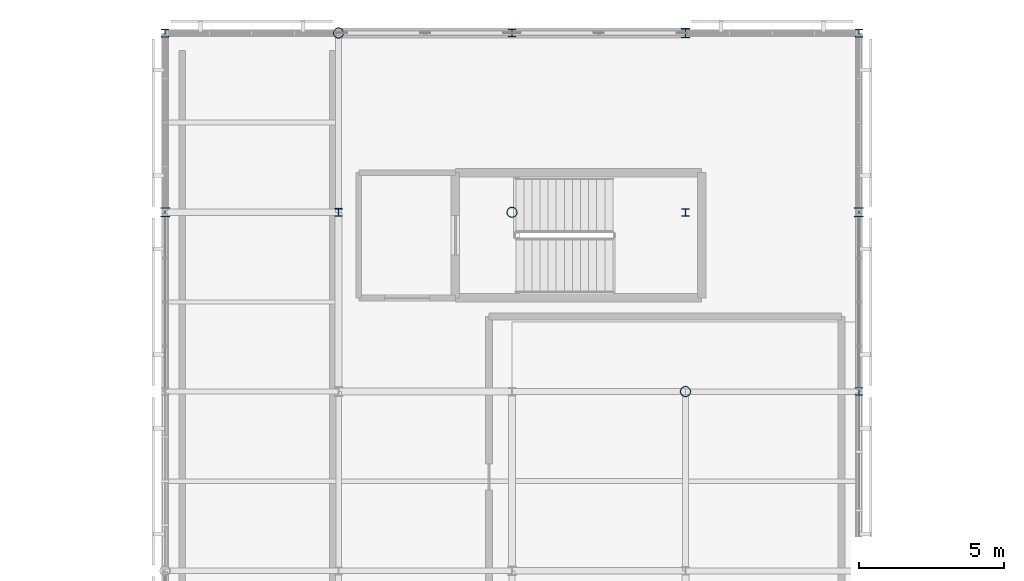
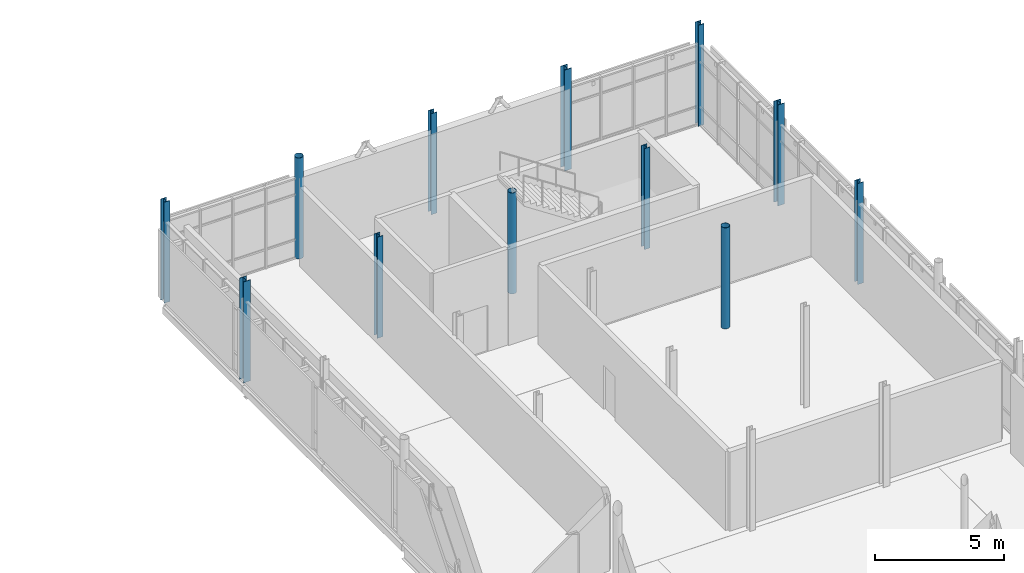
# One storey, part 14 of 66: 12 columns.
"""IFC4 building model written with IfcOpenShell, lengths in metres."""

from ifc_helpers import new_model, si_unit, direction, frame, origin, origin_2d, place, context, subcontext, project, spatial, hollow_circle, i_section, extrude, material, material_profile, profile_set, type_object, element, save


model = new_model("IFC4")

# Units and contexts
model_context = context("Model", 3, precision=1e-05, world=origin(), true_north=direction((0.0, 1.0)))
body_context = subcontext(model_context, "Body", "Model", "MODEL_VIEW")
ifc_project = project(units=[si_unit("LENGTHUNIT", "METRE"), si_unit("AREAUNIT", "SQUARE_METRE"), si_unit("VOLUMEUNIT", "CUBIC_METRE"), si_unit("PLANEANGLEUNIT", "RADIAN"), si_unit("MASSUNIT", "GRAM", prefix="KILO")], contexts=[model_context])

# Site, building, storey
site_placement = place(None, origin())
site = spatial("IfcSite", under=ifc_project, at=site_placement, CompositionType="ELEMENT")
building_placement = place(site_placement, origin())
building = spatial("IfcBuilding", under=site, at=building_placement, Name="Mirzam Square Science Centre", CompositionType="ELEMENT")
storey_placement = place(building_placement, frame((0.0, 0.0, 15.60009765625)))
storey = spatial("IfcBuildingStorey", under=building, at=storey_placement, Name="L03", CompositionType="ELEMENT", Elevation=15.60009765625)

# Columns
ifc_material = material(Name="Steel S355", Category="steel")
ifc_material_profile_1 = material_profile(ifc_material, hollow_circle(Radius=0.177734375, WallThickness=0.012451171875, at=origin_2d()), Name="355.6x12.5CHS")
ifc_profile_set_1 = profile_set([ifc_material_profile_1], Name="Steel S355")
column_type_1 = type_object("IfcColumnType", Name="COL-CHS355", PredefinedType="COLUMN", material=ifc_profile_set_1)
for number, where, z_axis, x_axis, name in (
    (1, (120.0, 111.60009765625, 0.0), (0.0, 0.0, 1.0), (1.0, 0.0, 0.0), "L03 column G21-19"),
    (2, (126.0, 105.39990234375, 0.0), (0.0, 0.0, 1.0), (1.0, 0.0, 0.0), "L03 column G22-18"),
    (3, (132.0, 99.199951171875, 0.0), (0.0, 0.0, 1.0), (1.0, 0.0, 0.0), "L03 column G23-17"),
):
    element("IfcColumn", number, at=place(storey_placement, frame(where, z_axis=z_axis, x_axis=x_axis)), inside=storey, type_object=column_type_1, Name=name, PredefinedType="COLUMN", context=body_context, shape_type="SweptSolid", body=[
        extrude(hollow_circle(Radius=0.177734375, WallThickness=0.012451171875, at=origin_2d()), origin(), (0.0, 0.0, 1.0), 4.7998046875),
    ])
ifc_material_profile_2 = material_profile(ifc_material, i_section(OverallWidth=0.25634765625, OverallDepth=0.26025390625, WebThickness=0.01025390625, FlangeThickness=0.017333984375, FilletRadius=0.0126953125, at=origin_2d()), Name="254x254x89UC")
ifc_profile_set_2 = profile_set([ifc_material_profile_2], Name="Steel S355")
column_type_2 = type_object("IfcColumnType", Name="COL-UC254A", PredefinedType="COLUMN", material=ifc_profile_set_2)
for number, where, z_axis, x_axis, name in (
    (4, (126.0, 111.60009765625, 0.0), (0.0, 0.0, 1.0), (1.0, 0.0, 0.0), "L03 column G22-19"),
    (5, (132.0, 105.39990234375, 0.0), (0.0, 0.0, 1.0), (1.0, 0.0, 0.0), "L03 column G23-18"),
    (6, (138.0, 99.199951171875, 0.0), (0.0, 0.0, 1.0), (1.0, 0.0, 0.0), "L03 column G24-17"),
):
    element("IfcColumn", number, at=place(storey_placement, frame(where, z_axis=z_axis, x_axis=x_axis)), inside=storey, type_object=column_type_2, Name=name, PredefinedType="COLUMN", context=body_context, shape_type="SweptSolid", body=[
        extrude(i_section(OverallWidth=0.25634765625, OverallDepth=0.26025390625, WebThickness=0.01025390625, FlangeThickness=0.017333984375, FilletRadius=0.0126953125, at=origin_2d()), origin(), (0.0, 0.0, 1.0), 4.7998046875),
    ])
ifc_material_profile_3 = material_profile(ifc_material, i_section(OverallWidth=0.26123046875, OverallDepth=0.2763671875, WebThickness=0.015380859375, FlangeThickness=0.025390625, FilletRadius=0.0126953125, at=origin_2d()), Name="254x254x132UC")
ifc_profile_set_3 = profile_set([ifc_material_profile_3], Name="Steel S355")
column_type_3 = type_object("IfcColumnType", Name="COL-UC254B", PredefinedType="COLUMN", material=ifc_profile_set_3)
for number, where, z_axis, x_axis, name in (
    (7, (114.0, 111.60009765625, 0.0), (0.0, 0.0, 1.0), (1.0, 0.0, 0.0), "L03 column G20-19"),
    (8, (120.0, 105.39990234375, 0.0), (0.0, 0.0, 1.0), (1.0, 0.0, 0.0), "L03 column G21-18"),
    (9, (138.0, 111.60009765625, 0.0), (0.0, 0.0, 1.0), (1.0, 0.0, 0.0), "L03 column G24-19"),
):
    element("IfcColumn", number, at=place(storey_placement, frame(where, z_axis=z_axis, x_axis=x_axis)), inside=storey, type_object=column_type_3, Name=name, PredefinedType="COLUMN", context=body_context, shape_type="SweptSolid", body=[
        extrude(i_section(OverallWidth=0.26123046875, OverallDepth=0.2763671875, WebThickness=0.015380859375, FlangeThickness=0.025390625, FilletRadius=0.0126953125, at=origin_2d()), origin(), (0.0, 0.0, 1.0), 4.7998046875),
    ])
ifc_material_profile_4 = material_profile(ifc_material, i_section(OverallWidth=0.30908203125, OverallDepth=0.320556640625, WebThickness=0.013916015625, FlangeThickness=0.021728515625, FilletRadius=0.01513671875, at=origin_2d()), Name="305x305x137UC")
ifc_profile_set_4 = profile_set([ifc_material_profile_4], Name="Steel S355")
column_type_4 = type_object("IfcColumnType", Name="COL-UC305A", PredefinedType="COLUMN", material=ifc_profile_set_4)
for number, where, z_axis, x_axis, name in (
    (10, (114.0, 105.39990234375, 0.0), (0.0, 0.0, 1.0), (1.0, 0.0, 0.0), "L03 column G20-18"),
    (11, (132.0, 111.60009765625, 0.0), (0.0, 0.0, 1.0), (1.0, 0.0, 0.0), "L03 column G23-19"),
    (12, (138.0, 105.39990234375, 0.0), (0.0, 0.0, 1.0), (1.0, 0.0, 0.0), "L03 column G24-18"),
):
    element("IfcColumn", number, at=place(storey_placement, frame(where, z_axis=z_axis, x_axis=x_axis)), inside=storey, type_object=column_type_4, Name=name, PredefinedType="COLUMN", context=body_context, shape_type="SweptSolid", body=[
        extrude(i_section(OverallWidth=0.30908203125, OverallDepth=0.320556640625, WebThickness=0.013916015625, FlangeThickness=0.021728515625, FilletRadius=0.01513671875, at=origin_2d()), origin(), (0.0, 0.0, 1.0), 4.7998046875),
    ])

save(model, "model.ifc")
